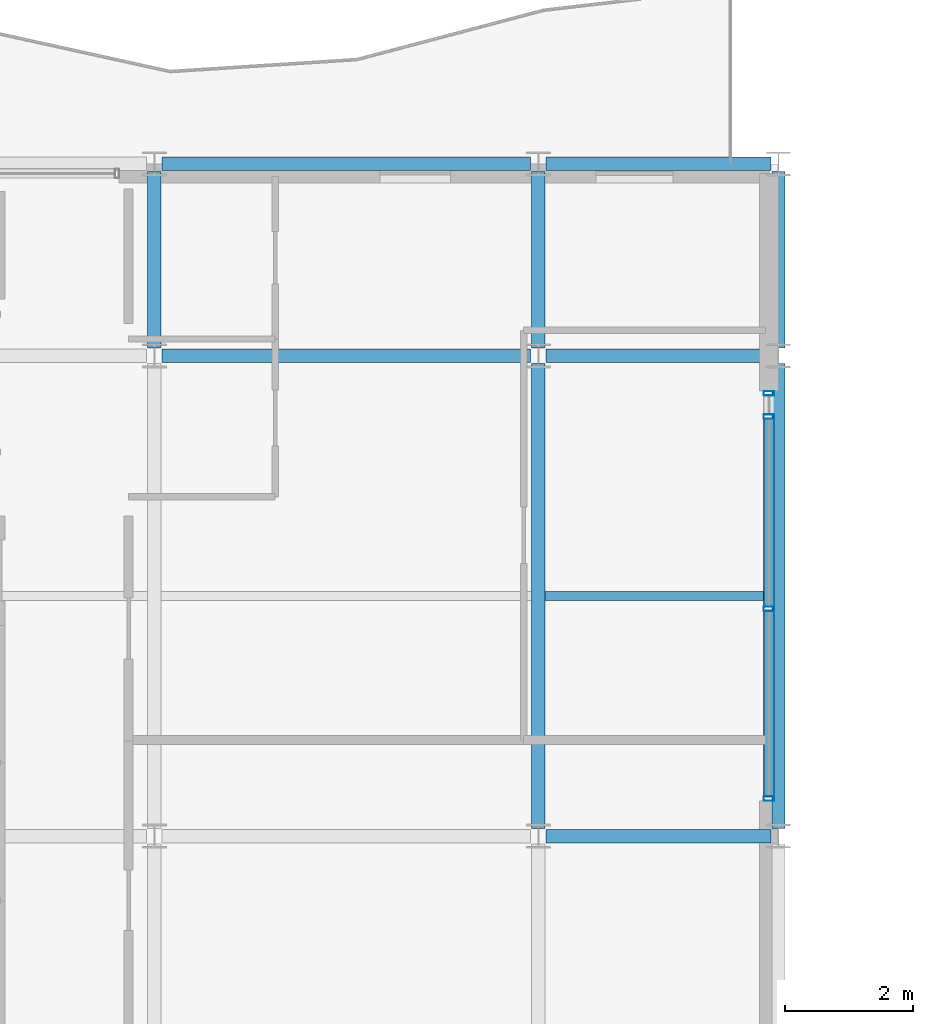
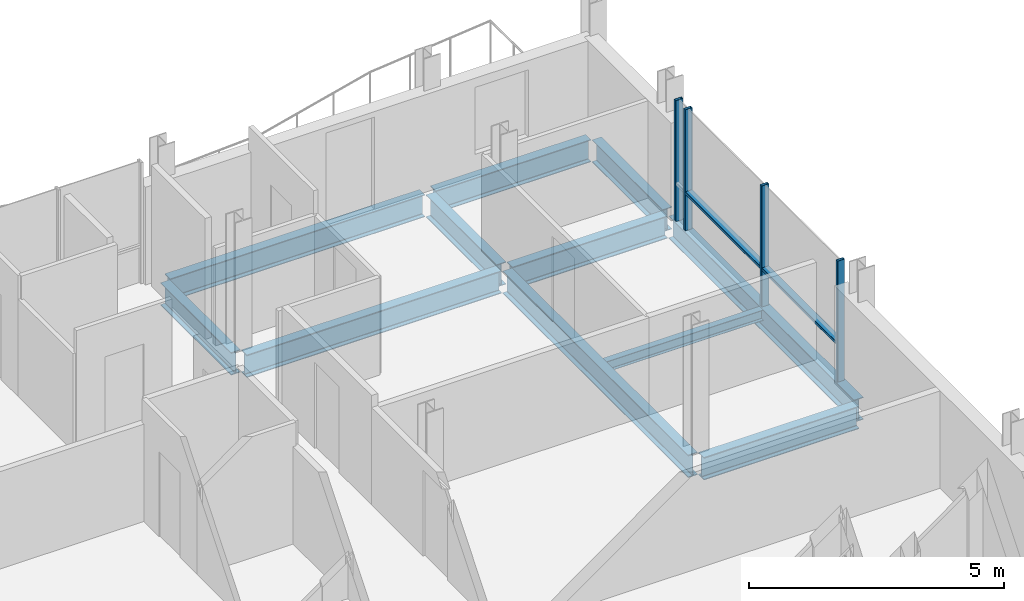
# One storey, part 9 of 29: 11 beams, 6 members, 1 element without a shape of its own.
"""IFC4 building model written with IfcOpenShell, lengths in metres."""

from ifc_helpers import new_model, si_unit, direction, frame, origin, origin_2d, place, context, subcontext, project, spatial, hollow_rectangle, i_section, extrude, material, layer, layer_set, material_profile, profile_set, type_object, element, aggregate, save


model = new_model("IFC4")

# Units and contexts
model_context = context("Model", 3, precision=1e-05, world=origin(), true_north=direction((0.0, 1.0)))
body_context = subcontext(model_context, "Body", "Model", "MODEL_VIEW")
ifc_project = project(units=[si_unit("LENGTHUNIT", "METRE"), si_unit("AREAUNIT", "SQUARE_METRE"), si_unit("VOLUMEUNIT", "CUBIC_METRE"), si_unit("PLANEANGLEUNIT", "RADIAN"), si_unit("MASSUNIT", "GRAM", prefix="KILO")], contexts=[model_context])

# Site, building, storey
site_placement = place(None, origin())
site = spatial("IfcSite", under=ifc_project, at=site_placement, CompositionType="ELEMENT")
building_placement = place(site_placement, origin())
building = spatial("IfcBuilding", under=site, at=building_placement, Name="Brevholm Reach", CompositionType="ELEMENT")
storey_placement = place(building_placement, frame((0.0, 0.0, 201.800048828125)))
storey = spatial("IfcBuildingStorey", under=building, at=storey_placement, Name="L61", CompositionType="ELEMENT", Elevation=201.800048828125)

# Beams
ifc_material_1 = material(Name="Structural Steel S355J2", Category="steel")
ifc_material_profile_1 = material_profile(ifc_material_1, i_section(OverallWidth=0.14599609375, OverallDepth=0.25146484375, WebThickness=0.006103515625, FlangeThickness=0.008544921875, FilletRadius=0.007568359375, at=origin_2d()), Name="UKB 254x146x31")
ifc_profile_set_1 = profile_set([ifc_material_profile_1], Name="Structural Steel S355J2")
beam_type_1 = type_object("IfcBeamType", Name="BM-B254", PredefinedType="BEAM", material=ifc_profile_set_1)
beam_1_placement = place(storey_placement, frame((18.10546875, 19.75, -0.335693359375), z_axis=(1.0, 0.0, 0.0), x_axis=(0.0, 1.0, 0.0)))
element("IfcBeam", 1, at=beam_1_placement, inside=storey, type_object=beam_type_1, Name="L61 Composite Secondary Floor Beam", PredefinedType="BEAM", context=body_context, shape_type="SweptSolid", body=[
    extrude(i_section(OverallWidth=0.14599609375, OverallDepth=0.25146484375, WebThickness=0.006103515625, FlangeThickness=0.008544921875, FilletRadius=0.007568359375, at=origin_2d()), origin(), (0.0, 0.0, 1.0), 3.539794921875),
])
ifc_material_2 = material(Name="Structural Steel S355J2", Category="steel")
ifc_material_profile_2 = material_profile(ifc_material_2, i_section(OverallWidth=0.209228515625, OverallDepth=0.533203125, WebThickness=0.010009765625, FlangeThickness=0.015625, FilletRadius=0.0126953125, at=origin_2d()), Name="UKB 533x210x92")
ifc_profile_set_2 = profile_set([ifc_material_profile_2], Name="Structural Steel S355J2")
beam_type_2 = type_object("IfcBeamType", Name="BM-SP533", PredefinedType="SPANDREL", material=ifc_profile_set_2)
beam_2_placement = place(storey_placement, frame((12.1201171875, 26.5, -0.4765625), z_axis=(1.0, 0.0, 0.0), x_axis=(0.0, 1.0, 0.0)))
element("IfcBeam", 2, at=beam_2_placement, inside=storey, type_object=beam_type_2, Name="L61 SP-02 Framing Beam", PredefinedType="SPANDREL", context=body_context, shape_type="SweptSolid", body=[
    extrude(i_section(OverallWidth=0.209228515625, OverallDepth=0.533203125, WebThickness=0.010009765625, FlangeThickness=0.015625, FilletRadius=0.0126953125, at=origin_2d()), origin(), (0.0, 0.0, 1.0), 5.759765625),
])
beam_3_placement = place(storey_placement, frame((18.1201171875, 26.5, -0.4765625), z_axis=(1.0, 0.0, 0.0), x_axis=(0.0, 1.0, 0.0)))
element("IfcBeam", 3, at=beam_3_placement, inside=storey, type_object=beam_type_2, Name="L61 SP-02 Framing Beam", PredefinedType="SPANDREL", context=body_context, shape_type="SweptSolid", body=[
    extrude(i_section(OverallWidth=0.209228515625, OverallDepth=0.533203125, WebThickness=0.010009765625, FlangeThickness=0.015625, FilletRadius=0.0126953125, at=origin_2d()), origin(), (0.0, 0.0, 1.0), 3.509765625),
])
beam_4_placement = place(storey_placement, frame((21.75, 16.1201171875, -0.4765625), z_axis=(0.0, 1.0, 0.0), x_axis=(-1.0, 0.0, 0.0)))
element("IfcBeam", 4, at=beam_4_placement, inside=storey, type_object=beam_type_2, Name="L61 SP-02 Framing Beam", PredefinedType="SPANDREL", context=body_context, shape_type="SweptSolid", body=[
    extrude(i_section(OverallWidth=0.209228515625, OverallDepth=0.533203125, WebThickness=0.010009765625, FlangeThickness=0.015625, FilletRadius=0.0126953125, at=origin_2d()), origin(), (0.0, 0.0, 1.0), 7.259765625),
])
beam_5_placement = place(storey_placement, frame((21.75, 23.6201171875, -0.4765625), z_axis=(0.0, 1.0, 0.0), x_axis=(-1.0, 0.0, 0.0)))
element("IfcBeam", 5, at=beam_5_placement, inside=storey, type_object=beam_type_2, Name="L61 SP-02 Framing Beam", PredefinedType="SPANDREL", context=body_context, shape_type="SweptSolid", body=[
    extrude(i_section(OverallWidth=0.209228515625, OverallDepth=0.533203125, WebThickness=0.010009765625, FlangeThickness=0.015625, FilletRadius=0.0126953125, at=origin_2d()), origin(), (0.0, 0.0, 1.0), 2.759765625),
])
ifc_material_3 = material(Name="Structural Steel S355J2", Category="steel")
ifc_material_profile_3 = material_profile(ifc_material_3, i_section(OverallWidth=0.210693359375, OverallDepth=0.53955078125, WebThickness=0.01171875, FlangeThickness=0.018798828125, FilletRadius=0.0126953125, at=origin_2d()), Name="UKB 533x210x109")
ifc_profile_set_3 = profile_set([ifc_material_profile_3], Name="Structural Steel S355J2")
beam_type_3 = type_object("IfcBeamType", Name="BM-SP539", PredefinedType="SPANDREL", material=ifc_profile_set_3)
beam_6_placement = place(storey_placement, frame((18.1201171875, 16.0, -0.479736328125), z_axis=(1.0, 0.0, 0.0), x_axis=(0.0, 1.0, 0.0)))
element("IfcBeam", 6, at=beam_6_placement, inside=storey, type_object=beam_type_3, Name="L61 SP-01B Framing Beam", PredefinedType="SPANDREL", context=body_context, shape_type="SweptSolid", body=[
    extrude(i_section(OverallWidth=0.210693359375, OverallDepth=0.53955078125, WebThickness=0.01171875, FlangeThickness=0.018798828125, FilletRadius=0.0126953125, at=origin_2d()), origin(), (0.0, 0.0, 1.0), 3.509765625),
])
beam_7_placement = place(storey_placement, frame((12.1201171875, 23.5, -0.479736328125), z_axis=(1.0, 0.0, 0.0), x_axis=(0.0, 1.0, 0.0)))
element("IfcBeam", 7, at=beam_7_placement, inside=storey, type_object=beam_type_3, Name="L61 SP-01B Framing Beam", PredefinedType="SPANDREL", context=body_context, shape_type="SweptSolid", body=[
    extrude(i_section(OverallWidth=0.210693359375, OverallDepth=0.53955078125, WebThickness=0.01171875, FlangeThickness=0.018798828125, FilletRadius=0.0126953125, at=origin_2d()), origin(), (0.0, 0.0, 1.0), 5.759765625),
])
beam_8_placement = place(storey_placement, frame((18.1201171875, 23.5, -0.479736328125), z_axis=(1.0, 0.0, 0.0), x_axis=(0.0, 1.0, 0.0)))
element("IfcBeam", 8, at=beam_8_placement, inside=storey, type_object=beam_type_3, Name="L61 SP-01B Framing Beam", PredefinedType="SPANDREL", context=body_context, shape_type="SweptSolid", body=[
    extrude(i_section(OverallWidth=0.210693359375, OverallDepth=0.53955078125, WebThickness=0.01171875, FlangeThickness=0.018798828125, FilletRadius=0.0126953125, at=origin_2d()), origin(), (0.0, 0.0, 1.0), 3.509765625),
])
beam_9_placement = place(storey_placement, frame((12.0, 23.6201171875, -0.479736328125), z_axis=(0.0, 1.0, 0.0), x_axis=(-1.0, 0.0, 0.0)))
element("IfcBeam", 9, at=beam_9_placement, inside=storey, type_object=beam_type_3, Name="L61 SP-01B Framing Beam", PredefinedType="SPANDREL", context=body_context, shape_type="SweptSolid", body=[
    extrude(i_section(OverallWidth=0.210693359375, OverallDepth=0.53955078125, WebThickness=0.01171875, FlangeThickness=0.018798828125, FilletRadius=0.0126953125, at=origin_2d()), origin(), (0.0, 0.0, 1.0), 2.759765625),
])
beam_10_placement = place(storey_placement, frame((18.0, 16.1201171875, -0.479736328125), z_axis=(0.0, 1.0, 0.0), x_axis=(-1.0, 0.0, 0.0)))
element("IfcBeam", 10, at=beam_10_placement, inside=storey, type_object=beam_type_3, Name="L61 SP-01B Framing Beam", PredefinedType="SPANDREL", context=body_context, shape_type="SweptSolid", body=[
    extrude(i_section(OverallWidth=0.210693359375, OverallDepth=0.53955078125, WebThickness=0.01171875, FlangeThickness=0.018798828125, FilletRadius=0.0126953125, at=origin_2d()), origin(), (0.0, 0.0, 1.0), 7.259765625),
])
beam_11_placement = place(storey_placement, frame((18.0, 23.6201171875, -0.479736328125), z_axis=(0.0, 1.0, 0.0), x_axis=(-1.0, 0.0, 0.0)))
element("IfcBeam", 11, at=beam_11_placement, inside=storey, type_object=beam_type_3, Name="L61 SP-01B Framing Beam", PredefinedType="SPANDREL", context=body_context, shape_type="SweptSolid", body=[
    extrude(i_section(OverallWidth=0.210693359375, OverallDepth=0.53955078125, WebThickness=0.01171875, FlangeThickness=0.018798828125, FilletRadius=0.0126953125, at=origin_2d()), origin(), (0.0, 0.0, 1.0), 2.759765625),
])

# Curtain wall, members
ifc_material_4 = material(Name="Dark Anodised Aluminium 6063-T6 and Solar-Control Glass", Category="aluminium")
ifc_layer = layer(ifc_material_4, 0.1650390625)
ifc_layer_set = layer_set([ifc_layer], Name="Dark Anodised Aluminium 6063-T6 and Solar-Control Glass")
curtain_wall_type = type_object("IfcCurtainWallType", Name="CW-04", PredefinedType="NOTDEFINED", material=ifc_layer_set)
curtain_wall_placement = place(storey_placement, origin())
curtain_wall = element("IfcCurtainWall", 12, at=curtain_wall_placement, inside=storey, type_object=curtain_wall_type, Name="L61 Curtain Wall CW-04", PredefinedType="NOTDEFINED")
ifc_material_5 = material(Name="Dark Anodised Aluminium 6063-T6", Category="aluminium")
ifc_material_profile_4 = material_profile(ifc_material_5, hollow_rectangle(XDim=0.070068359375, YDim=0.1650390625, WallThickness=0.0048828125, InnerFilletRadius=0.0048828125, OuterFilletRadius=0.010009765625, at=origin_2d()), Name="RHS 165x70x5")
ifc_profile_set_4 = profile_set([ifc_material_profile_4], Name="Dark Anodised Aluminium 6063-T6")
member_type_1 = type_object("IfcMemberType", Name="CWM-165", PredefinedType="MULLION", material=ifc_profile_set_4)
member_1_placement = place(storey_placement, frame((21.60009765625, 16.5849609375, 0.0), z_axis=(0.0, 0.0, 1.0), x_axis=(0.0, 1.0, 0.0)))
member_1 = element("IfcMember", 13, at=member_1_placement, type_object=member_type_1, Name="CM-165 Mullion 1", PredefinedType="MULLION", context=body_context, shape_type="SweptSolid", body=[
    extrude(hollow_rectangle(XDim=0.070068359375, YDim=0.1650390625, WallThickness=0.0048828125, InnerFilletRadius=0.0048828125, OuterFilletRadius=0.010009765625, at=origin_2d()), origin(), (0.0, 0.0, 1.0), 2.889892578125),
])
member_2_placement = place(storey_placement, frame((21.60009765625, 19.550048828125, 0.0), z_axis=(0.0, 0.0, 1.0), x_axis=(0.0, 1.0, 0.0)))
member_2 = element("IfcMember", 14, at=member_2_placement, type_object=member_type_1, Name="CM-165 Mullion 2", PredefinedType="MULLION", context=body_context, shape_type="SweptSolid", body=[
    extrude(hollow_rectangle(XDim=0.070068359375, YDim=0.1650390625, WallThickness=0.0048828125, InnerFilletRadius=0.0048828125, OuterFilletRadius=0.010009765625, at=origin_2d()), origin(), (0.0, 0.0, 1.0), 2.889892578125),
])
member_3_placement = place(storey_placement, frame((21.60009765625, 22.550048828125, 0.0), z_axis=(0.0, 0.0, 1.0), x_axis=(0.0, 1.0, 0.0)))
member_3 = element("IfcMember", 15, at=member_3_placement, type_object=member_type_1, Name="CM-165 Mullion 3", PredefinedType="MULLION", context=body_context, shape_type="SweptSolid", body=[
    extrude(hollow_rectangle(XDim=0.070068359375, YDim=0.1650390625, WallThickness=0.0048828125, InnerFilletRadius=0.0048828125, OuterFilletRadius=0.010009765625, at=origin_2d()), origin(), (0.0, 0.0, 1.0), 2.889892578125),
])
member_4_placement = place(storey_placement, frame((21.60009765625, 22.9150390625, 0.0), z_axis=(0.0, 0.0, 1.0), x_axis=(0.0, 1.0, 0.0)))
member_4 = element("IfcMember", 16, at=member_4_placement, type_object=member_type_1, Name="CM-165 Mullion 4", PredefinedType="MULLION", context=body_context, shape_type="SweptSolid", body=[
    extrude(hollow_rectangle(XDim=0.070068359375, YDim=0.1650390625, WallThickness=0.0048828125, InnerFilletRadius=0.0048828125, OuterFilletRadius=0.010009765625, at=origin_2d()), origin(), (0.0, 0.0, 1.0), 2.889892578125),
])
ifc_material_6 = material(Name="Dark Anodised Aluminium 6063-T6", Category="aluminium")
ifc_material_profile_5 = material_profile(ifc_material_6, hollow_rectangle(XDim=0.070068359375, YDim=0.1650390625, WallThickness=0.0048828125, InnerFilletRadius=0.0048828125, OuterFilletRadius=0.010009765625, at=origin_2d()), Name="RHS 165x70x5")
ifc_profile_set_5 = profile_set([ifc_material_profile_5], Name="Dark Anodised Aluminium 6063-T6")
member_type_2 = type_object("IfcMemberType", Name="CWT-165", PredefinedType="NOTDEFINED", material=ifc_profile_set_5)
member_5_placement = place(storey_placement, frame((21.60009765625, 16.6201171875, 0.89990234375), z_axis=(0.0, 1.0, 0.0), x_axis=(0.0, 0.0, 1.0)))
member_5 = element("IfcMember", 17, at=member_5_placement, type_object=member_type_2, Name="CT-165 Transom 1.1", ObjectType="TRANSOM", PredefinedType="USERDEFINED", context=body_context, shape_type="SweptSolid", body=[
    extrude(hollow_rectangle(XDim=0.070068359375, YDim=0.1650390625, WallThickness=0.0048828125, InnerFilletRadius=0.0048828125, OuterFilletRadius=0.010009765625, at=origin_2d()), origin(), (0.0, 0.0, 1.0), 2.894775390625),
])
member_6_placement = place(storey_placement, frame((21.60009765625, 19.5849609375, 0.89990234375), z_axis=(0.0, 1.0, 0.0), x_axis=(0.0, 0.0, 1.0)))
member_6 = element("IfcMember", 18, at=member_6_placement, type_object=member_type_2, Name="CT-165 Transom 2.1", ObjectType="TRANSOM", PredefinedType="USERDEFINED", context=body_context, shape_type="SweptSolid", body=[
    extrude(hollow_rectangle(XDim=0.070068359375, YDim=0.1650390625, WallThickness=0.0048828125, InnerFilletRadius=0.0048828125, OuterFilletRadius=0.010009765625, at=origin_2d()), origin(), (0.0, 0.0, 1.0), 2.929931640625),
])
aggregate(curtain_wall, [member_1, member_2, member_3, member_4, member_5, member_6])

save(model, "model.ifc")
